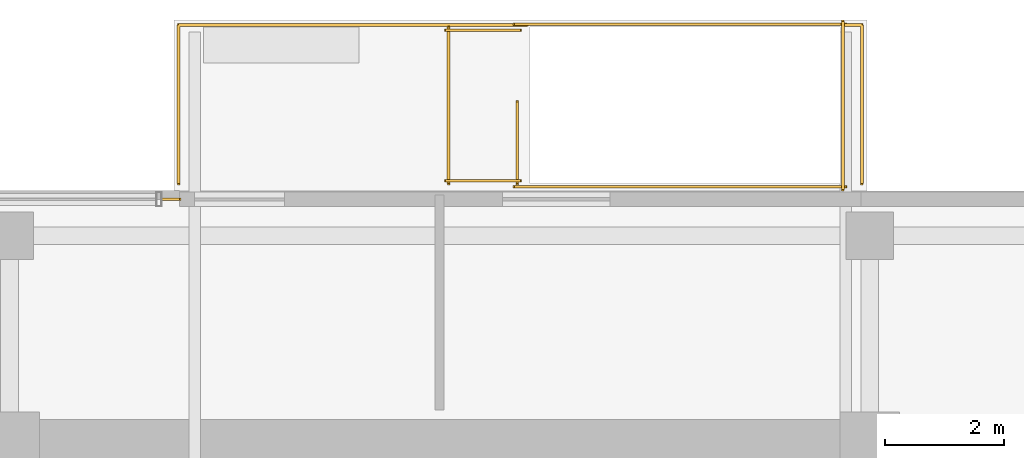
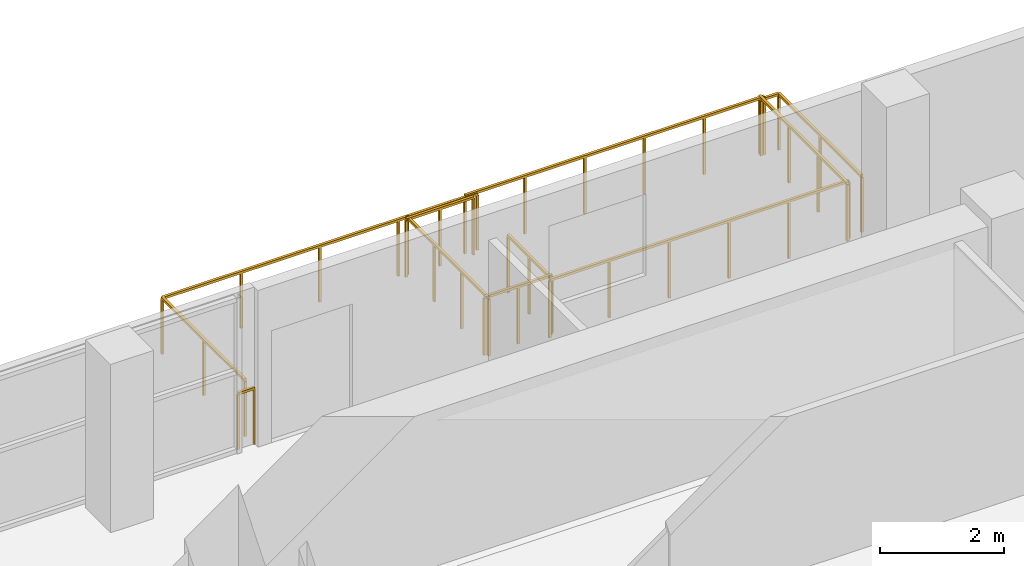
# One storey, part 27 of 28: 10 railings.
"""IFC4 building model written with IfcOpenShell, lengths in metres."""

from ifc_helpers import new_model, si_unit, direction, frame, origin, origin_2d, place, context, subcontext, project, spatial, rectangle, extrude, material, type_object, element, save


model = new_model("IFC4")

# Units and contexts
model_context = context("Model", 3, precision=1e-05, world=origin(), true_north=direction((0.0, 1.0)))
body_context = subcontext(model_context, "Body", "Model", "MODEL_VIEW")
ifc_project = project(units=[si_unit("LENGTHUNIT", "METRE"), si_unit("AREAUNIT", "SQUARE_METRE"), si_unit("VOLUMEUNIT", "CUBIC_METRE"), si_unit("PLANEANGLEUNIT", "RADIAN"), si_unit("MASSUNIT", "GRAM", prefix="KILO")], contexts=[model_context])

# Site, building, storey
site_placement = place(None, origin())
site = spatial("IfcSite", under=ifc_project, at=site_placement, CompositionType="ELEMENT")
building_placement = place(site_placement, origin())
building = spatial("IfcBuilding", under=site, at=building_placement, Name="Zarnakvel Exchange Tower", CompositionType="ELEMENT")
storey_placement = place(building_placement, frame((0.0, 0.0, 90.10009765625)))
storey = spatial("IfcBuildingStorey", under=building, at=storey_placement, Name="L24", CompositionType="ELEMENT", Elevation=90.10009765625)

# Railings
ifc_material = material(Name="Architectural Bronze Anodised Aluminium", Category="aluminium")
railing_type_1 = type_object("IfcRailingType", Name="GR-02", PredefinedType="GUARDRAIL", material=ifc_material)
railing_1_placement = place(storey_placement, frame((-4.3701171875, 17.820068359375, 0.0)))
element("IfcRailing", 1, at=railing_1_placement, inside=storey, type_object=railing_type_1, Name="L24 Spiral Sky-Terrace West Perimeter Guardrail", PredefinedType="GUARDRAIL", context=body_context, shape_type="SweptSolid", body=[
    extrude(rectangle(XDim=0.048095703125, YDim=0.048095703125, at=origin_2d()), frame((0.0, 0.0, 1.09619140625), z_axis=(0.0, 1.0, 0.0), x_axis=(-1.0, 0.0, 0.0)), (0.0, 0.0, 1.0), 2.659912109375),
    extrude(rectangle(XDim=0.048095703125, YDim=0.048095703125, at=origin_2d()), frame((0.0, 2.659912109375, 1.09619140625), z_axis=(1.0, 0.0, 0.0), x_axis=(0.0, 1.0, 0.0)), (0.0, 0.0, 1.0), 5.840087890625),
    extrude(rectangle(XDim=0.0419921875, YDim=0.0419921875, at=origin_2d()), origin(), (0.0, 0.0, 1.0), 1.072021484375),
    extrude(rectangle(XDim=0.0419921875, YDim=0.0419921875, at=origin_2d()), frame((0.0, 1.330078125, 0.0)), (0.0, 0.0, 1.0), 1.072021484375),
    extrude(rectangle(XDim=0.0419921875, YDim=0.0419921875, at=origin_2d()), frame((0.0, 2.659912109375, 0.0)), (0.0, 0.0, 1.0), 1.072021484375),
    extrude(rectangle(XDim=0.0419921875, YDim=0.0419921875, at=origin_2d()), frame((1.4599609375, 2.659912109375, 0.0)), (0.0, 0.0, 1.0), 1.072021484375),
    extrude(rectangle(XDim=0.0419921875, YDim=0.0419921875, at=origin_2d()), frame((2.919921875, 2.659912109375, 0.0)), (0.0, 0.0, 1.0), 1.072021484375),
    extrude(rectangle(XDim=0.0419921875, YDim=0.0419921875, at=origin_2d()), frame((4.380126953125, 2.659912109375, 0.0)), (0.0, 0.0, 1.0), 1.072021484375),
    extrude(rectangle(XDim=0.0419921875, YDim=0.0419921875, at=origin_2d()), frame((5.840087890625, 2.659912109375, 0.0)), (0.0, 0.0, 1.0), 1.072021484375),
])
railing_2_placement = place(storey_placement, frame((6.739990234375, 20.47998046875, 0.0)))
element("IfcRailing", 2, at=railing_2_placement, inside=storey, type_object=railing_type_1, Name="L24 Spiral Sky-Terrace East Corner Guardrail", PredefinedType="GUARDRAIL", context=body_context, shape_type="SweptSolid", body=[
    extrude(rectangle(XDim=0.048095703125, YDim=0.048095703125, at=origin_2d()), frame((0.0, 0.0, 1.09619140625), z_axis=(1.0, 0.0, 0.0), x_axis=(0.0, 1.0, 0.0)), (0.0, 0.0, 1.0), 0.330078125),
    extrude(rectangle(XDim=0.048095703125, YDim=0.048095703125, at=origin_2d()), frame((0.330078125, 0.0, 1.09619140625), z_axis=(0.0, -1.0, 0.0), x_axis=(1.0, 0.0, 0.0)), (0.0, 0.0, 1.0), 2.659912109375),
    extrude(rectangle(XDim=0.0419921875, YDim=0.0419921875, at=origin_2d()), origin(), (0.0, 0.0, 1.0), 1.072021484375),
    extrude(rectangle(XDim=0.0419921875, YDim=0.0419921875, at=origin_2d()), frame((0.330078125, 0.0, 0.0)), (0.0, 0.0, 1.0), 1.072021484375),
    extrude(rectangle(XDim=0.0419921875, YDim=0.0419921875, at=origin_2d()), frame((0.330078125, -1.330078125, 0.0)), (0.0, 0.0, 1.0), 1.072021484375),
    extrude(rectangle(XDim=0.0419921875, YDim=0.0419921875, at=origin_2d()), frame((0.330078125, -2.659912109375, 0.0)), (0.0, 0.0, 1.0), 1.072021484375),
])
railing_3_placement = place(storey_placement, frame((-4.64990234375, 17.56005859375, 0.0)))
element("IfcRailing", 3, at=railing_3_placement, inside=storey, type_object=railing_type_1, Name="L24 Corner Spandrel Balustrade #7", PredefinedType="GUARDRAIL", context=body_context, shape_type="SweptSolid", body=[
    extrude(rectangle(XDim=0.048095703125, YDim=0.048095703125, at=origin_2d()), frame((0.0, 0.0, 1.09619140625), z_axis=(1.0, 0.0, 0.0), x_axis=(0.0, 1.0, 0.0)), (0.0, 0.0, 1.0), 0.2998046875),
    extrude(rectangle(XDim=0.0419921875, YDim=0.0419921875, at=origin_2d()), origin(), (0.0, 0.0, 1.0), 1.072021484375),
    extrude(rectangle(XDim=0.0419921875, YDim=0.0419921875, at=origin_2d()), frame((0.2998046875, 0.0, 0.0)), (0.0, 0.0, 1.0), 1.072021484375),
])
railing_type_2 = type_object("IfcRailingType", Name="SG-01", PredefinedType="GUARDRAIL", material=ifc_material)
railing_4_placement = place(storey_placement, frame((1.300048828125, 17.820068359375, 0.0)))
element("IfcRailing", 4, at=railing_4_placement, inside=storey, type_object=railing_type_2, Name="L24 ST-09 top well guard 1", PredefinedType="GUARDRAIL", context=body_context, shape_type="SweptSolid", body=[
    extrude(rectangle(XDim=0.048095703125, YDim=0.048095703125, at=origin_2d()), frame((0.0, 0.0, 1.1259765625), z_axis=(0.0, 1.0, 0.0), x_axis=(-1.0, 0.0, 0.0)), (0.0, 0.0, 1.0), 1.369873046875),
    extrude(rectangle(XDim=0.0419921875, YDim=0.0419921875, at=origin_2d()), origin(), (0.0, 0.0, 1.0), 1.101806640625),
    extrude(rectangle(XDim=0.0419921875, YDim=0.0419921875, at=origin_2d()), frame((0.0, 0.68505859375, 0.0)), (0.0, 0.0, 1.0), 1.101806640625),
    extrude(rectangle(XDim=0.0419921875, YDim=0.0419921875, at=origin_2d()), frame((0.0, 1.369873046875, 0.0)), (0.0, 0.0, 1.0), 1.101806640625),
])
for number, where, name in (
    (5, (1.25, 17.77001953125, 0.0), "L24 ST-09 top well guard 2"),
    (6, (1.25, 20.489990234375, 0.0), "L24 ST-09 top well guard 3"),
):
    element("IfcRailing", number, at=place(storey_placement, frame(where)), inside=storey, type_object=railing_type_2, Name=name, PredefinedType="GUARDRAIL", context=body_context, shape_type="SweptSolid", body=[
        extrude(rectangle(XDim=0.048095703125, YDim=0.048095703125, at=origin_2d()), frame((0.0, 0.0, 1.1259765625), z_axis=(1.0, 0.0, 0.0), x_axis=(0.0, 1.0, 0.0)), (0.0, 0.0, 1.0), 5.550048828125),
        extrude(rectangle(XDim=0.0419921875, YDim=0.0419921875, at=origin_2d()), origin(), (0.0, 0.0, 1.0), 1.101806640625),
        extrude(rectangle(XDim=0.0419921875, YDim=0.0419921875, at=origin_2d()), frame((1.110107421875, 0.0, 0.0)), (0.0, 0.0, 1.0), 1.101806640625),
        extrude(rectangle(XDim=0.0419921875, YDim=0.0419921875, at=origin_2d()), frame((2.219970703125, 0.0, 0.0)), (0.0, 0.0, 1.0), 1.101806640625),
        extrude(rectangle(XDim=0.0419921875, YDim=0.0419921875, at=origin_2d()), frame((3.330078125, 0.0, 0.0)), (0.0, 0.0, 1.0), 1.101806640625),
        extrude(rectangle(XDim=0.0419921875, YDim=0.0419921875, at=origin_2d()), frame((4.43994140625, 0.0, 0.0)), (0.0, 0.0, 1.0), 1.101806640625),
        extrude(rectangle(XDim=0.0419921875, YDim=0.0419921875, at=origin_2d()), frame((5.550048828125, 0.0, 0.0)), (0.0, 0.0, 1.0), 1.101806640625),
    ])
railing_5_placement = place(storey_placement, frame((6.75, 17.719970703125, 0.0)))
element("IfcRailing", 7, at=railing_5_placement, inside=storey, type_object=railing_type_2, Name="L24 ST-09 top well guard 4", PredefinedType="GUARDRAIL", context=body_context, shape_type="SweptSolid", body=[
    extrude(rectangle(XDim=0.048095703125, YDim=0.048095703125, at=origin_2d()), frame((0.0, 0.0, 1.1259765625), z_axis=(0.0, 1.0, 0.0), x_axis=(-1.0, 0.0, 0.0)), (0.0, 0.0, 1.0), 2.820068359375),
    extrude(rectangle(XDim=0.0419921875, YDim=0.0419921875, at=origin_2d()), origin(), (0.0, 0.0, 1.0), 1.101806640625),
    extrude(rectangle(XDim=0.0419921875, YDim=0.0419921875, at=origin_2d()), frame((0.0, 0.93994140625, 0.0)), (0.0, 0.0, 1.0), 1.101806640625),
    extrude(rectangle(XDim=0.0419921875, YDim=0.0419921875, at=origin_2d()), frame((0.0, 1.880126953125, 0.0)), (0.0, 0.0, 1.0), 1.101806640625),
    extrude(rectangle(XDim=0.0419921875, YDim=0.0419921875, at=origin_2d()), frame((0.0, 2.820068359375, 0.0)), (0.0, 0.0, 1.0), 1.101806640625),
])
for number, where, name in (
    (8, (0.10009765625, 17.8701171875, 0.0), "L24 ST-09 top well guard 5"),
    (9, (0.10009765625, 20.389892578125, 0.0), "L24 ST-09 top well guard 6"),
):
    element("IfcRailing", number, at=place(storey_placement, frame(where)), inside=storey, type_object=railing_type_2, Name=name, PredefinedType="GUARDRAIL", context=body_context, shape_type="SweptSolid", body=[
        extrude(rectangle(XDim=0.048095703125, YDim=0.048095703125, at=origin_2d()), frame((0.0, 0.0, 1.1259765625), z_axis=(1.0, 0.0, 0.0), x_axis=(0.0, 1.0, 0.0)), (0.0, 0.0, 1.0), 1.25),
        extrude(rectangle(XDim=0.0419921875, YDim=0.0419921875, at=origin_2d()), origin(), (0.0, 0.0, 1.0), 1.101806640625),
        extrude(rectangle(XDim=0.0419921875, YDim=0.0419921875, at=origin_2d()), frame((0.625, 0.0, 0.0)), (0.0, 0.0, 1.0), 1.101806640625),
        extrude(rectangle(XDim=0.0419921875, YDim=0.0419921875, at=origin_2d()), frame((1.25, 0.0, 0.0)), (0.0, 0.0, 1.0), 1.101806640625),
    ])
railing_6_placement = place(storey_placement, frame((0.14990234375, 17.820068359375, 0.0)))
element("IfcRailing", 10, at=railing_6_placement, inside=storey, type_object=railing_type_2, Name="L24 ST-09 top well guard 7", PredefinedType="GUARDRAIL", context=body_context, shape_type="SweptSolid", body=[
    extrude(rectangle(XDim=0.048095703125, YDim=0.048095703125, at=origin_2d()), frame((0.0, 0.0, 1.1259765625), z_axis=(0.0, 1.0, 0.0), x_axis=(-1.0, 0.0, 0.0)), (0.0, 0.0, 1.0), 2.619873046875),
    extrude(rectangle(XDim=0.0419921875, YDim=0.0419921875, at=origin_2d()), origin(), (0.0, 0.0, 1.0), 1.101806640625),
    extrude(rectangle(XDim=0.0419921875, YDim=0.0419921875, at=origin_2d()), frame((0.0, 0.873291015625, 0.0)), (0.0, 0.0, 1.0), 1.101806640625),
    extrude(rectangle(XDim=0.0419921875, YDim=0.0419921875, at=origin_2d()), frame((0.0, 1.74658203125, 0.0)), (0.0, 0.0, 1.0), 1.101806640625),
    extrude(rectangle(XDim=0.0419921875, YDim=0.0419921875, at=origin_2d()), frame((0.0, 2.619873046875, 0.0)), (0.0, 0.0, 1.0), 1.101806640625),
])

save(model, "model.ifc")
